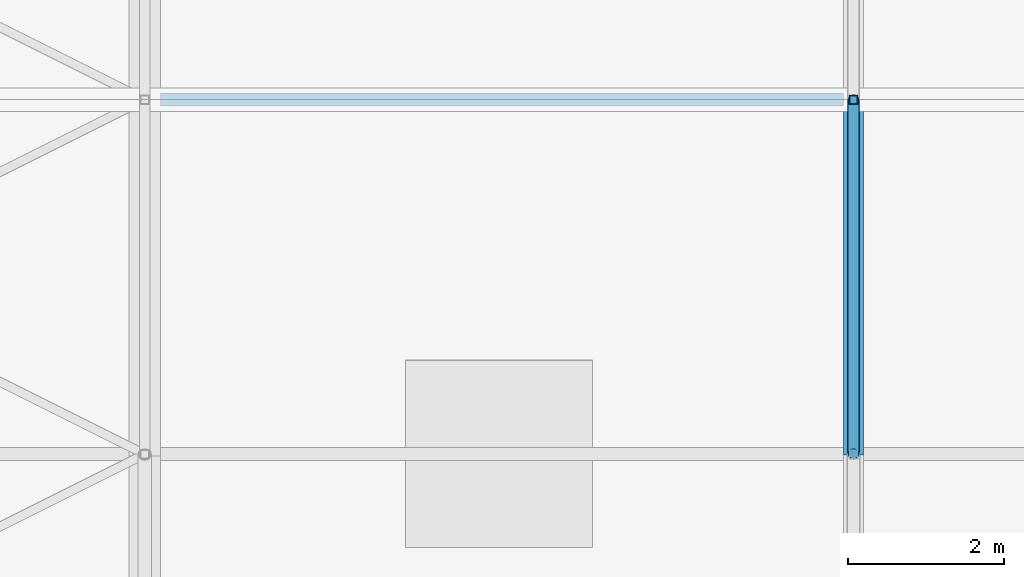
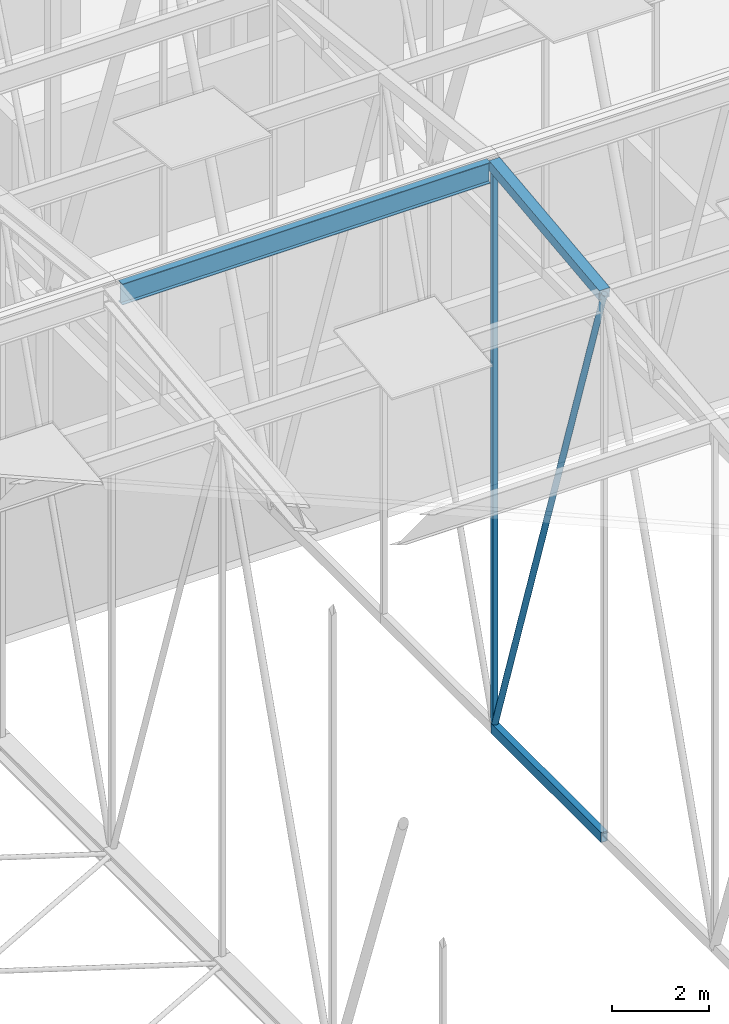
# One storey, part 164 of 500: 5 members.
"""IFC4 building model written with IfcOpenShell, lengths in metres."""

from ifc_helpers import new_model, si_unit, direction, frame, origin, origin_2d, place, context, subcontext, project, spatial, hollow_rectangle, hollow_circle, i_section, extrude, material, material_profile, profile_set, type_object, element, save


model = new_model("IFC4")

# Units and contexts
model_context = context("Model", 3, precision=1e-05, world=origin(), true_north=direction((0.0, 1.0)))
body_context = subcontext(model_context, "Body", "Model", "MODEL_VIEW")
ifc_project = project(units=[si_unit("LENGTHUNIT", "METRE"), si_unit("AREAUNIT", "SQUARE_METRE"), si_unit("VOLUMEUNIT", "CUBIC_METRE"), si_unit("PLANEANGLEUNIT", "RADIAN"), si_unit("MASSUNIT", "GRAM", prefix="KILO")], contexts=[model_context])

# Site, building, storey
site_placement = place(None, origin())
site = spatial("IfcSite", under=ifc_project, at=site_placement, CompositionType="ELEMENT")
building_placement = place(site_placement, origin())
building = spatial("IfcBuilding", under=site, at=building_placement, Name="Shirokan Park Arena", CompositionType="ELEMENT")
storey_placement = place(building_placement, frame((0.0, 0.0, 29.1201171875)))
storey = spatial("IfcBuildingStorey", under=building, at=storey_placement, Name="L06", CompositionType="ELEMENT", Elevation=29.1201171875)

# Members
ifc_material_1 = material(Name="Steel ASTM A500 Grade C", Category="steel")
ifc_material_profile_1 = material_profile(ifc_material_1, hollow_rectangle(XDim=0.152099609375, YDim=0.25390625, WallThickness=0.009521484375, at=origin_2d()), Name="HSS254X152.4X9.5")
ifc_profile_set_1 = profile_set([ifc_material_profile_1], Name="Steel ASTM A500 Grade C")
member_type_1 = type_object("IfcMemberType", Name="Bottom chord HSS254X152.4X9.5", PredefinedType="CHORD", material=ifc_profile_set_1)
member_1_placement = place(storey_placement, frame((109.199951171875, 50.050048828125, 4.677001953125), z_axis=(0.0, 1.0, 0.0), x_axis=(-1.0, 0.0, 0.0)))
element("IfcMember", 1, at=member_1_placement, inside=storey, type_object=member_type_1, Name="Truss T13 bottom chord 14", PredefinedType="CHORD", context=body_context, shape_type="SweptSolid", body=[
    extrude(hollow_rectangle(XDim=0.152099609375, YDim=0.25390625, WallThickness=0.009521484375, at=origin_2d()), origin(), (0.0, 0.0, 1.0), 4.550048828125),
])
ifc_material_2 = material(Name="Steel ASTM A992", Category="steel")
ifc_material_profile_2 = material_profile(ifc_material_2, i_section(OverallWidth=0.166015625, OverallDepth=0.528076171875, WebThickness=0.009765625, FlangeThickness=0.013671875, at=origin_2d()), Name="W530X74")
ifc_profile_set_2 = profile_set([ifc_material_profile_2], Name="Steel ASTM A992")
member_type_2 = type_object("IfcMemberType", Name="Purlin W530X74", PredefinedType="PURLIN", material=ifc_profile_set_2)
member_2_placement = place(storey_placement, frame((100.302978515625, 54.60009765625, 18.725830078125), z_axis=(1.0, 0.0, 0.0), x_axis=(0.0, 1.0, 0.0)))
element("IfcMember", 2, at=member_2_placement, inside=storey, type_object=member_type_2, Name="Purlin 15 bay 12", PredefinedType="PURLIN", context=body_context, shape_type="SweptSolid", body=[
    extrude(i_section(OverallWidth=0.166015625, OverallDepth=0.528076171875, WebThickness=0.009765625, FlangeThickness=0.013671875, at=origin_2d()), origin(), (0.0, 0.0, 1.0), 8.77001953125),
])
ifc_material_profile_3 = material_profile(ifc_material_1, hollow_rectangle(XDim=0.25390625, YDim=0.25390625, WallThickness=0.009521484375, at=origin_2d()), Name="HSS254X254X9.5")
ifc_profile_set_3 = profile_set([ifc_material_profile_3], Name="Steel ASTM A500 Grade C")
member_type_3 = type_object("IfcMemberType", Name="Top chord HSS254X254X9.5", PredefinedType="CHORD", material=ifc_profile_set_3)
member_3_placement = place(storey_placement, frame((109.199951171875, 50.050048828125, 18.3427734375), z_axis=(0.0, 0.993532328996, 0.113549598152), x_axis=(-1.0, 0.0, 0.0)))
element("IfcMember", 3, at=member_3_placement, inside=storey, type_object=member_type_3, Name="Truss T13 top chord 14", PredefinedType="CHORD", context=body_context, shape_type="SweptSolid", body=[
    extrude(hollow_rectangle(XDim=0.25390625, YDim=0.25390625, WallThickness=0.009521484375, at=origin_2d()), origin(), (0.0, 0.0, 1.0), 4.57958984375),
])
ifc_material_profile_4 = material_profile(ifc_material_1, hollow_circle(Radius=0.070556640625, WallThickness=0.006591796875, at=origin_2d()), Name="HSS141.3X6.6")
ifc_profile_set_4 = profile_set([ifc_material_profile_4], Name="Steel ASTM A500 Grade C")
member_type_4 = type_object("IfcMemberType", Name="Truss diagonal HSS141.3X6.6", PredefinedType="BRACE", material=ifc_profile_set_4)
member_4_placement = place(storey_placement, frame((109.199951171875, 50.050048828125, 18.3427734375), z_axis=(0.0, 0.315902302102, -0.948791723998), x_axis=(-1.0, 0.0, 0.0)))
element("IfcMember", 4, at=member_4_placement, inside=storey, type_object=member_type_4, Name="Truss T13 diagonal 14", PredefinedType="BRACE", context=body_context, shape_type="SweptSolid", body=[
    extrude(hollow_circle(Radius=0.070556640625, WallThickness=0.006591796875, at=origin_2d()), origin(), (0.0, 0.0, 1.0), 14.4033203125),
])
ifc_material_profile_5 = material_profile(ifc_material_1, hollow_rectangle(XDim=0.114013671875, YDim=0.114013671875, WallThickness=0.00634765625, at=origin_2d()), Name="HSS114.3X114.3X6.4")
ifc_profile_set_5 = profile_set([ifc_material_profile_5], Name="Steel ASTM A500 Grade C")
member_type_5 = type_object("IfcMemberType", Name="Truss post HSS114.3X114.3X6.4", PredefinedType="POST", material=ifc_profile_set_5)
member_5_placement = place(storey_placement, frame((109.199951171875, 54.60009765625, 4.677001953125), z_axis=(0.0, 0.0, 1.0), x_axis=(1.0, 0.0, 0.0)))
element("IfcMember", 5, at=member_5_placement, inside=storey, type_object=member_type_5, Name="Truss T13 post 15", PredefinedType="POST", context=body_context, shape_type="SweptSolid", body=[
    extrude(hollow_rectangle(XDim=0.114013671875, YDim=0.114013671875, WallThickness=0.00634765625, at=origin_2d()), origin(), (0.0, 0.0, 1.0), 14.185791015625),
])

save(model, "model.ifc")
